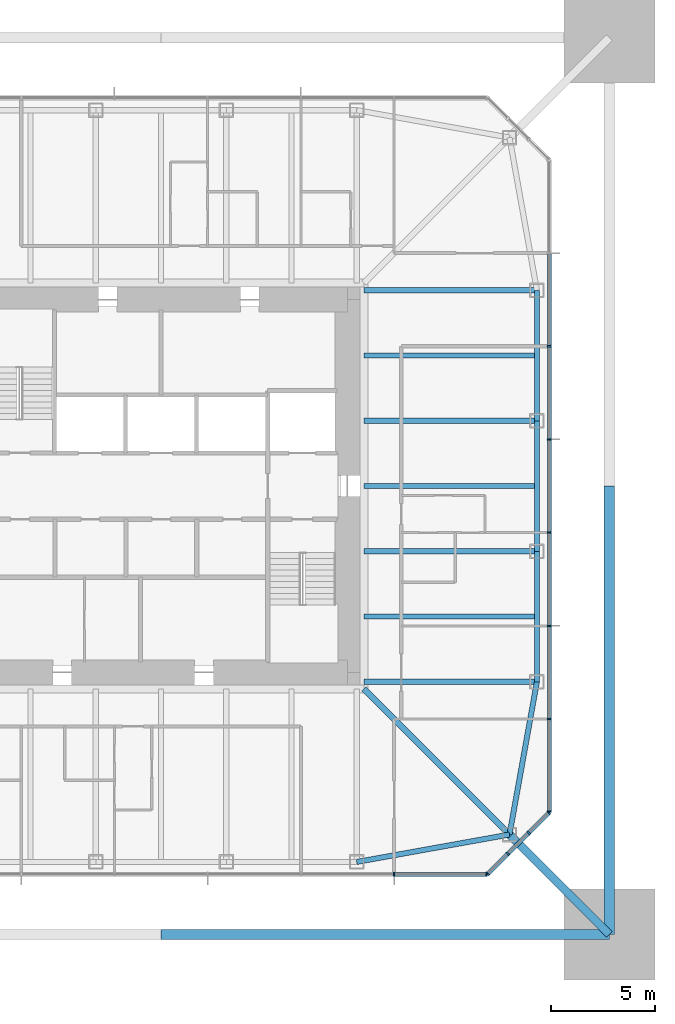
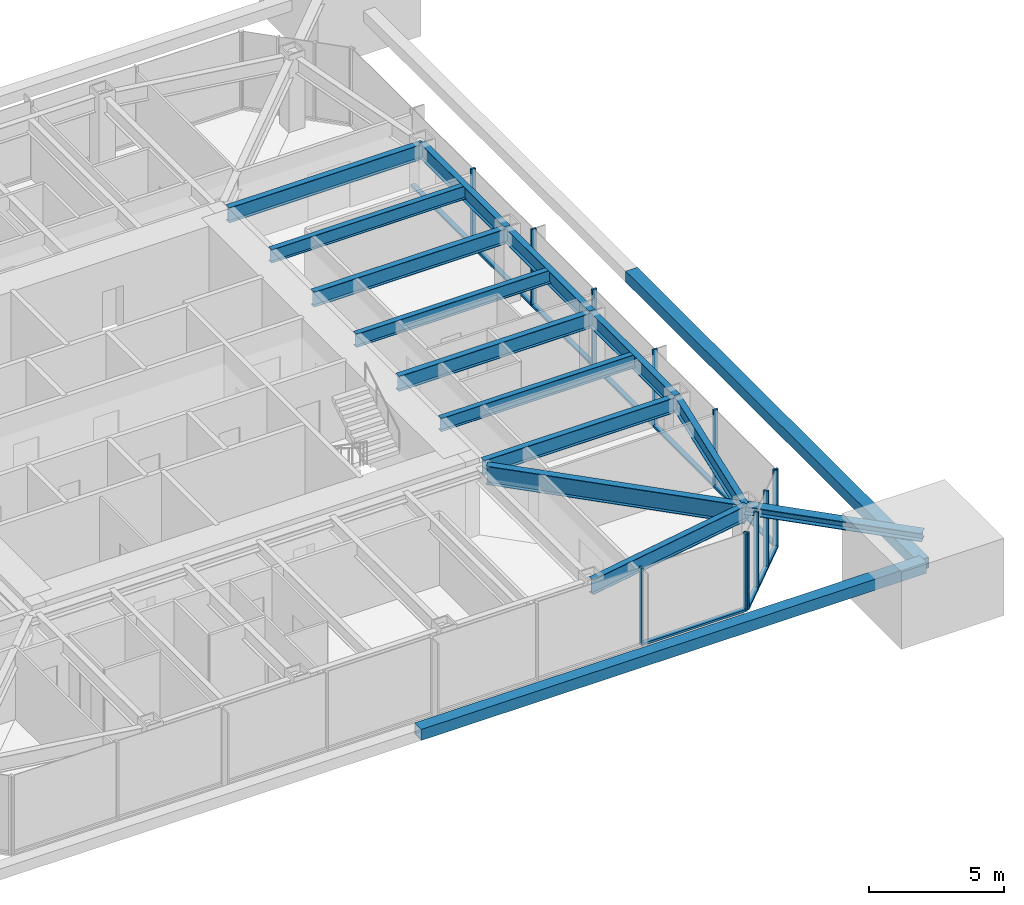
# One storey, part 4 of 13: 25 members, 13 beams, 3 elements without a shape of their own.
"""IFC4 building model written with IfcOpenShell, lengths in metres."""

from ifc_helpers import new_model, si_unit, direction, frame, origin, origin_2d, place, context, subcontext, project, spatial, rectangle, hollow_rectangle, i_section, extrude, material, material_profile, profile_set, type_object, element, aggregate, save


model = new_model("IFC4")

# Units and contexts
model_context = context("Model", 3, precision=1e-05, world=origin(), true_north=direction((0.0, 1.0)))
body_context = subcontext(model_context, "Body", "Model", "MODEL_VIEW")
ifc_project = project(units=[si_unit("LENGTHUNIT", "METRE"), si_unit("AREAUNIT", "SQUARE_METRE"), si_unit("VOLUMEUNIT", "CUBIC_METRE"), si_unit("PLANEANGLEUNIT", "RADIAN"), si_unit("MASSUNIT", "GRAM", prefix="KILO")], contexts=[model_context])

# Site, building, storey
site_placement = place(None, origin())
site = spatial("IfcSite", under=ifc_project, at=site_placement, CompositionType="ELEMENT")
building_placement = place(site_placement, origin())
building = spatial("IfcBuilding", under=site, at=building_placement, Name="Iwan Alto Co-Living Towers", CompositionType="ELEMENT")
storey_placement = place(building_placement, frame((0.0, 0.0, 191.5)))
storey = spatial("IfcBuildingStorey", under=building, at=storey_placement, Name="L52", CompositionType="ELEMENT", Elevation=191.5)

# Curtain wall, members
ifc_material_1 = material(Name="Bronze aluminium unitised frame", Category="aluminium")
curtain_wall_type_1 = type_object("IfcCurtainWallType", Name="CURTAIN WALL CW-A", PredefinedType="NOTDEFINED", material=ifc_material_1)
curtain_wall_1_placement = place(storey_placement, origin())
curtain_wall_1 = element("IfcCurtainWall", 1, at=curtain_wall_1_placement, inside=storey, type_object=curtain_wall_type_1, Name="T1 curtain wall S L52", PredefinedType="NOTDEFINED")
ifc_material_2 = material(Name="Aluminium 6063-T6 bronze anodised", Category="aluminium")
ifc_material_profile_1 = material_profile(ifc_material_2, rectangle(XDim=0.199951171875, YDim=0.080078125, at=origin_2d()), Name="AL 80X200")
ifc_profile_set_1 = profile_set([ifc_material_profile_1], Name="Aluminium 6063-T6 bronze anodised")
member_type_1 = type_object("IfcMemberType", Name="CW-A MULLION 80X200", PredefinedType="MULLION", material=ifc_profile_set_1)
member_1_placement = place(storey_placement, frame((11.25, -18.75, 0.0), z_axis=(0.0, 0.0, 1.0), x_axis=(0.0, 1.0, 0.0)))
member_1 = element("IfcMember", 2, at=member_1_placement, type_object=member_type_1, Name="CW-A mullion 7", PredefinedType="MULLION", context=body_context, shape_type="SweptSolid", body=[
    extrude(rectangle(XDim=0.199951171875, YDim=0.080078125, at=origin_2d()), origin(), (0.0, 0.0, 1.0), 3.5),
])
member_2_placement = place(storey_placement, frame((15.7099609375, -18.75, 0.0), z_axis=(0.0, 0.0, 1.0), x_axis=(0.0, 1.0, 0.0)))
member_2 = element("IfcMember", 3, at=member_2_placement, type_object=member_type_1, Name="CW-A mullion 8", PredefinedType="MULLION", context=body_context, shape_type="SweptSolid", body=[
    extrude(rectangle(XDim=0.199951171875, YDim=0.080078125, at=origin_2d()), origin(), (0.0, 0.0, 1.0), 3.5),
])

curtain_wall_2_placement = place(storey_placement, origin())
curtain_wall_2 = element("IfcCurtainWall", 4, at=curtain_wall_2_placement, inside=storey, type_object=curtain_wall_type_1, Name="T1 curtain wall E L52", PredefinedType="NOTDEFINED")
member_3_placement = place(storey_placement, frame((18.75, -15.7099609375, 0.0), z_axis=(0.0, 0.0, 1.0), x_axis=(-1.0, 0.0, 0.0)))
member_3 = element("IfcMember", 5, at=member_3_placement, type_object=member_type_1, Name="CW-A mullion 1", PredefinedType="MULLION", context=body_context, shape_type="SweptSolid", body=[
    extrude(rectangle(XDim=0.199951171875, YDim=0.080078125, at=origin_2d()), origin(), (0.0, 0.0, 1.0), 3.5),
])
member_4_placement = place(storey_placement, frame((18.75, -11.25, 0.0), z_axis=(0.0, 0.0, 1.0), x_axis=(-1.0, 0.0, 0.0)))
member_4 = element("IfcMember", 6, at=member_4_placement, type_object=member_type_1, Name="CW-A mullion 2", PredefinedType="MULLION", context=body_context, shape_type="SweptSolid", body=[
    extrude(rectangle(XDim=0.199951171875, YDim=0.080078125, at=origin_2d()), origin(), (0.0, 0.0, 1.0), 3.5),
])
member_5_placement = place(storey_placement, frame((18.75, -6.75, 0.0), z_axis=(0.0, 0.0, 1.0), x_axis=(-1.0, 0.0, 0.0)))
member_5 = element("IfcMember", 7, at=member_5_placement, type_object=member_type_1, Name="CW-A mullion 3", PredefinedType="MULLION", context=body_context, shape_type="SweptSolid", body=[
    extrude(rectangle(XDim=0.199951171875, YDim=0.080078125, at=origin_2d()), origin(), (0.0, 0.0, 1.0), 3.5),
])
member_6_placement = place(storey_placement, frame((18.75, -2.25, 0.0), z_axis=(0.0, 0.0, 1.0), x_axis=(-1.0, 0.0, 0.0)))
member_6 = element("IfcMember", 8, at=member_6_placement, type_object=member_type_1, Name="CW-A mullion 4", PredefinedType="MULLION", context=body_context, shape_type="SweptSolid", body=[
    extrude(rectangle(XDim=0.199951171875, YDim=0.080078125, at=origin_2d()), origin(), (0.0, 0.0, 1.0), 3.5),
])
member_7_placement = place(storey_placement, frame((18.75, 2.25, 0.0), z_axis=(0.0, 0.0, 1.0), x_axis=(-1.0, 0.0, 0.0)))
member_7 = element("IfcMember", 9, at=member_7_placement, type_object=member_type_1, Name="CW-A mullion 5", PredefinedType="MULLION", context=body_context, shape_type="SweptSolid", body=[
    extrude(rectangle(XDim=0.199951171875, YDim=0.080078125, at=origin_2d()), origin(), (0.0, 0.0, 1.0), 3.5),
])
member_8_placement = place(storey_placement, frame((18.75, 6.75, 0.0), z_axis=(0.0, 0.0, 1.0), x_axis=(-1.0, 0.0, 0.0)))
member_8 = element("IfcMember", 10, at=member_8_placement, type_object=member_type_1, Name="CW-A mullion 6", PredefinedType="MULLION", context=body_context, shape_type="SweptSolid", body=[
    extrude(rectangle(XDim=0.199951171875, YDim=0.080078125, at=origin_2d()), origin(), (0.0, 0.0, 1.0), 3.5),
])

# Member
ifc_material_3 = material(Name="Aluminium 6063-T6 bronze anodised", Category="aluminium")
ifc_material_profile_2 = material_profile(ifc_material_3, rectangle(XDim=0.199951171875, YDim=0.10009765625, at=origin_2d()), Name="AL 200X100")
ifc_profile_set_2 = profile_set([ifc_material_profile_2], Name="Aluminium 6063-T6 bronze anodised")
member_type_2 = type_object("IfcMemberType", Name="CW-A TRANSOM 200X100", PredefinedType="USERDEFINED", material=ifc_profile_set_2)
member_9_placement = place(storey_placement, frame((11.2900390625, -18.75, 0.050048828125), z_axis=(1.0, 0.0, 0.0), x_axis=(0.0, 1.0, 0.0)))
member_9 = element("IfcMember", 11, at=member_9_placement, type_object=member_type_2, Name="CW-A transom 7.1", ObjectType="TRANSOM", PredefinedType="USERDEFINED", context=body_context, shape_type="SweptSolid", body=[
    extrude(rectangle(XDim=0.199951171875, YDim=0.10009765625, at=origin_2d()), origin(), (0.0, 0.0, 1.0), 4.3798828125),
])

aggregate(curtain_wall_1, [member_1, member_2, member_9])

member_10_placement = place(storey_placement, frame((18.75, -15.669921875, 0.050048828125), z_axis=(0.0, 1.0, 0.0), x_axis=(-1.0, 0.0, 0.0)))
member_10 = element("IfcMember", 12, at=member_10_placement, type_object=member_type_2, Name="CW-A transom 1.1", ObjectType="TRANSOM", PredefinedType="USERDEFINED", context=body_context, shape_type="SweptSolid", body=[
    extrude(rectangle(XDim=0.199951171875, YDim=0.10009765625, at=origin_2d()), origin(), (0.0, 0.0, 1.0), 4.3798828125),
])

member_11_placement = place(storey_placement, frame((18.75, -11.2099609375, 0.050048828125), z_axis=(0.0, 1.0, 0.0), x_axis=(-1.0, 0.0, 0.0)))
member_11 = element("IfcMember", 13, at=member_11_placement, type_object=member_type_2, Name="CW-A transom 2.1", ObjectType="TRANSOM", PredefinedType="USERDEFINED", context=body_context, shape_type="SweptSolid", body=[
    extrude(rectangle(XDim=0.199951171875, YDim=0.10009765625, at=origin_2d()), origin(), (0.0, 0.0, 1.0), 4.419921875),
])

member_12_placement = place(storey_placement, frame((18.75, -6.7099609375, 0.050048828125), z_axis=(0.0, 1.0, 0.0), x_axis=(-1.0, 0.0, 0.0)))
member_12 = element("IfcMember", 14, at=member_12_placement, type_object=member_type_2, Name="CW-A transom 3.1", ObjectType="TRANSOM", PredefinedType="USERDEFINED", context=body_context, shape_type="SweptSolid", body=[
    extrude(rectangle(XDim=0.199951171875, YDim=0.10009765625, at=origin_2d()), origin(), (0.0, 0.0, 1.0), 4.419921875),
])

member_13_placement = place(storey_placement, frame((18.75, -2.2099609375, 0.050048828125), z_axis=(0.0, 1.0, 0.0), x_axis=(-1.0, 0.0, 0.0)))
member_13 = element("IfcMember", 15, at=member_13_placement, type_object=member_type_2, Name="CW-A transom 4.1", ObjectType="TRANSOM", PredefinedType="USERDEFINED", context=body_context, shape_type="SweptSolid", body=[
    extrude(rectangle(XDim=0.199951171875, YDim=0.10009765625, at=origin_2d()), origin(), (0.0, 0.0, 1.0), 4.419921875),
])

member_14_placement = place(storey_placement, frame((18.75, 2.2900390625, 0.050048828125), z_axis=(0.0, 1.0, 0.0), x_axis=(-1.0, 0.0, 0.0)))
member_14 = element("IfcMember", 16, at=member_14_placement, type_object=member_type_2, Name="CW-A transom 5.1", ObjectType="TRANSOM", PredefinedType="USERDEFINED", context=body_context, shape_type="SweptSolid", body=[
    extrude(rectangle(XDim=0.199951171875, YDim=0.10009765625, at=origin_2d()), origin(), (0.0, 0.0, 1.0), 4.419921875),
])

member_15_placement = place(storey_placement, frame((18.75, 6.7900390625, 0.050048828125), z_axis=(0.0, 1.0, 0.0), x_axis=(-1.0, 0.0, 0.0)))
member_15 = element("IfcMember", 17, at=member_15_placement, type_object=member_type_2, Name="CW-A transom 6.1", ObjectType="TRANSOM", PredefinedType="USERDEFINED", context=body_context, shape_type="SweptSolid", body=[
    extrude(rectangle(XDim=0.199951171875, YDim=0.10009765625, at=origin_2d()), origin(), (0.0, 0.0, 1.0), 4.419921875),
])

aggregate(curtain_wall_2, [member_3, member_4, member_5, member_6, member_7, member_8, member_10, member_11, member_12, member_13, member_14, member_15])

# Curtain wall, members
ifc_material_4 = material(Name="Bronze aluminium unitised frame", Category="aluminium")
curtain_wall_type_2 = type_object("IfcCurtainWallType", Name="CURTAIN WALL CW-B", PredefinedType="NOTDEFINED", material=ifc_material_4)
curtain_wall_3_placement = place(storey_placement, origin())
curtain_wall_3 = element("IfcCurtainWall", 18, at=curtain_wall_3_placement, inside=storey, type_object=curtain_wall_type_2, Name="T1 chamfer curtain wall SE L52", PredefinedType="NOTDEFINED")
ifc_material_5 = material(Name="Aluminium 6063-T6 bronze anodised", Category="aluminium")
ifc_material_profile_3 = material_profile(ifc_material_5, rectangle(XDim=0.199951171875, YDim=0.080078125, at=origin_2d()), Name="AL 80X200")
ifc_profile_set_3 = profile_set([ifc_material_profile_3], Name="Aluminium 6063-T6 bronze anodised")
member_type_3 = type_object("IfcMemberType", Name="CW-B MULLION 80X200", PredefinedType="MULLION", material=ifc_profile_set_3)
member_16_placement = place(storey_placement, frame((15.7783203125, -18.7216796875, 0.0), z_axis=(0.0, 0.0, 1.0), x_axis=(-0.707106781187, 0.707106781187, 0.0)))
member_16 = element("IfcMember", 19, at=member_16_placement, type_object=member_type_3, Name="CW-B mullion 1", PredefinedType="MULLION", context=body_context, shape_type="SweptSolid", body=[
    extrude(rectangle(XDim=0.199951171875, YDim=0.080078125, at=origin_2d()), origin(), (0.0, 0.0, 1.0), 3.5),
])
member_17_placement = place(storey_placement, frame((16.75, -17.75, 0.0), z_axis=(0.0, 0.0, 1.0), x_axis=(-0.707106781187, 0.707106781187, 0.0)))
member_17 = element("IfcMember", 20, at=member_17_placement, type_object=member_type_3, Name="CW-B mullion 2", PredefinedType="MULLION", context=body_context, shape_type="SweptSolid", body=[
    extrude(rectangle(XDim=0.199951171875, YDim=0.080078125, at=origin_2d()), origin(), (0.0, 0.0, 1.0), 3.5),
])
member_18_placement = place(storey_placement, frame((17.75, -16.75, 0.0), z_axis=(0.0, 0.0, 1.0), x_axis=(-0.707106781187, 0.707106781187, 0.0)))
member_18 = element("IfcMember", 21, at=member_18_placement, type_object=member_type_3, Name="CW-B mullion 3", PredefinedType="MULLION", context=body_context, shape_type="SweptSolid", body=[
    extrude(rectangle(XDim=0.199951171875, YDim=0.080078125, at=origin_2d()), origin(), (0.0, 0.0, 1.0), 3.5),
])
member_19_placement = place(storey_placement, frame((18.7216796875, -15.7783203125, 0.0), z_axis=(0.0, 0.0, 1.0), x_axis=(-0.707106781187, 0.707106781187, 0.0)))
member_19 = element("IfcMember", 22, at=member_19_placement, type_object=member_type_3, Name="CW-B mullion 4", PredefinedType="MULLION", context=body_context, shape_type="SweptSolid", body=[
    extrude(rectangle(XDim=0.199951171875, YDim=0.080078125, at=origin_2d()), origin(), (0.0, 0.0, 1.0), 3.5),
])
ifc_material_6 = material(Name="Aluminium 6063-T6 bronze anodised", Category="aluminium")
ifc_material_profile_4 = material_profile(ifc_material_6, rectangle(XDim=0.199951171875, YDim=0.10009765625, at=origin_2d()), Name="AL 200X100")
ifc_profile_set_4 = profile_set([ifc_material_profile_4], Name="Aluminium 6063-T6 bronze anodised")
member_type_4 = type_object("IfcMemberType", Name="CW-B TRANSOM 200X100", PredefinedType="USERDEFINED", material=ifc_profile_set_4)
member_20_placement = place(storey_placement, frame((15.806640625, -18.693359375, 0.050048828125), z_axis=(0.707106781187, 0.707106781187, 0.0), x_axis=(-0.707106781187, 0.707106781187, 0.0)))
member_20 = element("IfcMember", 23, at=member_20_placement, type_object=member_type_4, Name="CW-B transom 1.1", ObjectType="TRANSOM", PredefinedType="USERDEFINED", context=body_context, shape_type="SweptSolid", body=[
    extrude(rectangle(XDim=0.199951171875, YDim=0.10009765625, at=origin_2d()), origin(), (0.0, 0.0, 1.0), 1.2939453125),
])
member_21_placement = place(storey_placement, frame((16.7783203125, -17.7216796875, 0.050048828125), z_axis=(0.707106781187, 0.707106781187, 0.0), x_axis=(-0.707106781187, 0.707106781187, 0.0)))
member_21 = element("IfcMember", 24, at=member_21_placement, type_object=member_type_4, Name="CW-B transom 2.1", ObjectType="TRANSOM", PredefinedType="USERDEFINED", context=body_context, shape_type="SweptSolid", body=[
    extrude(rectangle(XDim=0.199951171875, YDim=0.10009765625, at=origin_2d()), origin(), (0.0, 0.0, 1.0), 1.334228515625),
])
member_22_placement = place(storey_placement, frame((17.7783203125, -16.7216796875, 0.050048828125), z_axis=(0.707106781187, 0.707106781187, 0.0), x_axis=(-0.707106781187, 0.707106781187, 0.0)))
member_22 = element("IfcMember", 25, at=member_22_placement, type_object=member_type_4, Name="CW-B transom 3.1", ObjectType="TRANSOM", PredefinedType="USERDEFINED", context=body_context, shape_type="SweptSolid", body=[
    extrude(rectangle(XDim=0.199951171875, YDim=0.10009765625, at=origin_2d()), origin(), (0.0, 0.0, 1.0), 1.2939453125),
])
aggregate(curtain_wall_3, [member_16, member_17, member_18, member_19, member_20, member_21, member_22])

# Beams
ifc_material_7 = material(Name="Steel ASTM A992 Gr 50", Category="steel")
ifc_material_profile_5 = material_profile(ifc_material_7, i_section(OverallWidth=0.2919921875, OverallDepth=0.8408203125, WebThickness=0.0146484375, FlangeThickness=0.021728515625, at=origin_2d()), Name="W33X130")
ifc_profile_set_5 = profile_set([ifc_material_profile_5], Name="Steel ASTM A992 Gr 50")
beam_type_1 = type_object("IfcBeamType", Name="T1 CORNER GIRDER W33X130", PredefinedType="BEAM", material=ifc_profile_set_5)
beam_1_placement = place(storey_placement, frame((16.82568359375, -16.82568359375, 2.849609375), z_axis=(-0.707106781187, 0.707106781187, 0.0), x_axis=(-0.707106781187, -0.707106781187, 0.0)))
element("IfcBeam", 26, at=beam_1_placement, inside=storey, type_object=beam_type_1, Name="T1 corner girder CSE L53", PredefinedType="BEAM", context=body_context, shape_type="SweptSolid", body=[
    extrude(i_section(OverallWidth=0.2919921875, OverallDepth=0.8408203125, WebThickness=0.0146484375, FlangeThickness=0.021728515625, at=origin_2d()), origin(), (0.0, 0.0, 1.0), 9.936767578125),
])
ifc_material_8 = material(Name="Steel ASTM A992 Gr 50", Category="steel")
ifc_material_profile_6 = material_profile(ifc_material_8, i_section(OverallWidth=0.25390625, OverallDepth=0.683349609375, WebThickness=0.012451171875, FlangeThickness=0.018798828125, at=origin_2d()), Name="W27X94")
ifc_profile_set_6 = profile_set([ifc_material_profile_6], Name="Steel ASTM A992 Gr 50")
beam_type_2 = type_object("IfcBeamType", Name="T1 EDGE BEAM W27X94", PredefinedType="BEAM", material=ifc_profile_set_6)
for number, where, z_axis, x_axis, name in (
    (27, (9.449951171875, -18.14990234375, 2.928466796875), (0.98426263553, 0.17671181143, 0.0), (-0.17671181143, 0.98426263553, 0.0), "T1 edge beam S4 L53"),
    (28, (16.82568359375, -16.82568359375, 2.928466796875), (0.17671181143, 0.98426263553, 0.0), (-0.98426263553, 0.17671181143, 0.0), "T1 edge beam CSE L53"),
):
    element("IfcBeam", number, at=place(storey_placement, frame(where, z_axis=z_axis, x_axis=x_axis)), inside=storey, type_object=beam_type_2, Name=name, PredefinedType="BEAM", context=body_context, shape_type="SweptSolid", body=[
        extrude(i_section(OverallWidth=0.25390625, OverallDepth=0.683349609375, WebThickness=0.012451171875, FlangeThickness=0.018798828125, at=origin_2d()), origin(), (0.0, 0.0, 1.0), 7.49365234375),
    ])
beam_2_placement = place(storey_placement, frame((18.14990234375, -9.449951171875, 2.928466796875), z_axis=(0.0, 1.0, 0.0), x_axis=(-1.0, 0.0, 0.0)))
element("IfcBeam", 29, at=beam_2_placement, inside=storey, type_object=beam_type_2, Name="T1 edge beam E1 L53", PredefinedType="BEAM", context=body_context, shape_type="SweptSolid", body=[
    extrude(i_section(OverallWidth=0.25390625, OverallDepth=0.683349609375, WebThickness=0.012451171875, FlangeThickness=0.018798828125, at=origin_2d()), origin(), (0.0, 0.0, 1.0), 6.300048828125),
])
beam_3_placement = place(storey_placement, frame((18.14990234375, -3.14990234375, 2.928466796875), z_axis=(0.0, 1.0, 0.0), x_axis=(-1.0, 0.0, 0.0)))
element("IfcBeam", 30, at=beam_3_placement, inside=storey, type_object=beam_type_2, Name="T1 edge beam E2 L53", PredefinedType="BEAM", context=body_context, shape_type="SweptSolid", body=[
    extrude(i_section(OverallWidth=0.25390625, OverallDepth=0.683349609375, WebThickness=0.012451171875, FlangeThickness=0.018798828125, at=origin_2d()), origin(), (0.0, 0.0, 1.0), 6.2998046875),
])
beam_4_placement = place(storey_placement, frame((18.14990234375, 3.14990234375, 2.928466796875), z_axis=(0.0, 1.0, 0.0), x_axis=(-1.0, 0.0, 0.0)))
element("IfcBeam", 31, at=beam_4_placement, inside=storey, type_object=beam_type_2, Name="T1 edge beam E3 L53", PredefinedType="BEAM", context=body_context, shape_type="SweptSolid", body=[
    extrude(i_section(OverallWidth=0.25390625, OverallDepth=0.683349609375, WebThickness=0.012451171875, FlangeThickness=0.018798828125, at=origin_2d()), origin(), (0.0, 0.0, 1.0), 6.300048828125),
])

# Members
ifc_material_9 = material(Name="Steel ASTM A992 Gr 50", Category="steel")
ifc_material_profile_7 = material_profile(ifc_material_9, i_section(OverallWidth=0.393798828125, OverallDepth=0.3759765625, WebThickness=0.017333984375, FlangeThickness=0.027587890625, at=origin_2d()), Name="W14X145")
ifc_profile_set_7 = profile_set([ifc_material_profile_7], Name="Steel ASTM A992 Gr 50")
member_type_5 = type_object("IfcMemberType", Name="T1 MEGA COLUMN FLOOR TIE W14X145", PredefinedType="STRUT", material=ifc_profile_set_7)
member_23_placement = place(storey_placement, frame((21.64990234375, -21.64990234375, 3.08203125), z_axis=(-0.707106781187, 0.707106781187, 0.0), x_axis=(-0.707106781187, -0.707106781187, 0.0)))
element("IfcMember", 32, at=member_23_placement, inside=storey, type_object=member_type_5, Name="T1 mega column floor tie SE L53", PredefinedType="STRUT", context=body_context, shape_type="SweptSolid", body=[
    extrude(i_section(OverallWidth=0.393798828125, OverallDepth=0.3759765625, WebThickness=0.017333984375, FlangeThickness=0.027587890625, at=origin_2d()), origin(), (0.0, 0.0, 1.0), 6.822509765625),
])
ifc_material_10 = material(Name="Steel ASTM A572 Gr 50", Category="steel")
ifc_material_profile_8 = material_profile(ifc_material_10, hollow_rectangle(XDim=0.5, YDim=0.5, WallThickness=0.031982421875, at=origin_2d()), Name="BOX 500X500X32")
ifc_profile_set_8 = profile_set([ifc_material_profile_8], Name="Steel ASTM A572 Gr 50")
member_type_6 = type_object("IfcMemberType", Name="T1 MEGA TIE BOX 500X500X32", PredefinedType="STRUT", material=ifc_profile_set_8)
for number, where, z_axis, x_axis, name in (
    (33, (0.0, -21.64990234375, 1.75), (1.0, 0.0, 0.0), (0.0, 1.0, 0.0), "T1 mega tie Z3B S 2"),
    (34, (21.64990234375, -21.64990234375, 1.75), (0.0, 1.0, 0.0), (-1.0, 0.0, 0.0), "T1 mega tie Z3B E 1"),
):
    element("IfcMember", number, at=place(storey_placement, frame(where, z_axis=z_axis, x_axis=x_axis)), inside=storey, type_object=member_type_6, Name=name, PredefinedType="STRUT", context=body_context, shape_type="SweptSolid", body=[
        extrude(hollow_rectangle(XDim=0.5, YDim=0.5, WallThickness=0.031982421875, at=origin_2d()), origin(), (0.0, 0.0, 1.0), 21.64990234375),
    ])

# Beams
ifc_material_11 = material(Name="Steel ASTM A992 Gr 50", Category="steel")
ifc_material_profile_9 = material_profile(ifc_material_11, i_section(OverallWidth=0.25390625, OverallDepth=0.683349609375, WebThickness=0.012451171875, FlangeThickness=0.018798828125, at=origin_2d()), Name="W27X94")
ifc_profile_set_9 = profile_set([ifc_material_profile_9], Name="Steel ASTM A992 Gr 50")
beam_type_3 = type_object("IfcBeamType", Name="T1 RADIAL BEAM W27X94", PredefinedType="BEAM", material=ifc_profile_set_9)
for number, where, z_axis, x_axis, name in (
    (35, (18.14990234375, -9.449951171875, 2.928466796875), (-1.0, 0.0, 0.0), (0.0, -1.0, 0.0), "T1 radial beam E1 L53"),
    (36, (18.14990234375, -3.14990234375, 2.928466796875), (-1.0, 0.0, 0.0), (0.0, -1.0, 0.0), "T1 radial beam E2 L53"),
    (37, (18.14990234375, 3.14990234375, 2.928466796875), (-1.0, 0.0, 0.0), (0.0, -1.0, 0.0), "T1 radial beam E3 L53"),
    (38, (18.14990234375, 9.449951171875, 2.928466796875), (-1.0, 0.0, 0.0), (0.0, -1.0, 0.0), "T1 radial beam E4 L53"),
):
    element("IfcBeam", number, at=place(storey_placement, frame(where, z_axis=z_axis, x_axis=x_axis)), inside=storey, type_object=beam_type_3, Name=name, PredefinedType="BEAM", context=body_context, shape_type="SweptSolid", body=[
        extrude(i_section(OverallWidth=0.25390625, OverallDepth=0.683349609375, WebThickness=0.012451171875, FlangeThickness=0.018798828125, at=origin_2d()), origin(), (0.0, 0.0, 1.0), 8.3505859375),
    ])
ifc_material_12 = material(Name="Steel ASTM A992 Gr 50", Category="steel")
ifc_material_profile_10 = material_profile(ifc_material_12, i_section(OverallWidth=0.228271484375, OverallDepth=0.607177734375, WebThickness=0.01123046875, FlangeThickness=0.017333984375, at=origin_2d()), Name="W24X76")
ifc_profile_set_10 = profile_set([ifc_material_profile_10], Name="Steel ASTM A992 Gr 50")
beam_type_4 = type_object("IfcBeamType", Name="T1 SECONDARY BEAM W24X76", PredefinedType="JOIST", material=ifc_profile_set_10)
for number, where, z_axis, x_axis, name in (
    (39, (18.14990234375, -6.300048828125, 2.966552734375), (-1.0, 0.0, 0.0), (0.0, -1.0, 0.0), "T1 secondary beam E1 L53"),
    (40, (18.14990234375, 0.0, 2.966552734375), (-1.0, 0.0, 0.0), (0.0, -1.0, 0.0), "T1 secondary beam E2 L53"),
    (41, (18.14990234375, 6.300048828125, 2.966552734375), (-1.0, 0.0, 0.0), (0.0, -1.0, 0.0), "T1 secondary beam E3 L53"),
):
    element("IfcBeam", number, at=place(storey_placement, frame(where, z_axis=z_axis, x_axis=x_axis)), inside=storey, type_object=beam_type_4, Name=name, PredefinedType="JOIST", context=body_context, shape_type="SweptSolid", body=[
        extrude(i_section(OverallWidth=0.228271484375, OverallDepth=0.607177734375, WebThickness=0.01123046875, FlangeThickness=0.017333984375, at=origin_2d()), origin(), (0.0, 0.0, 1.0), 8.3505859375),
    ])

save(model, "model.ifc")
